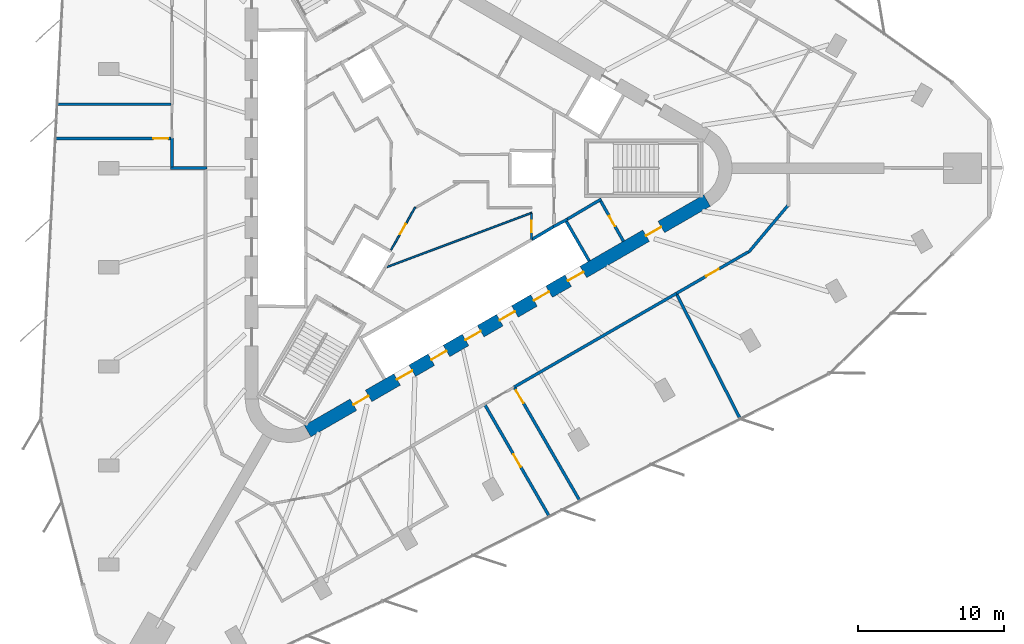
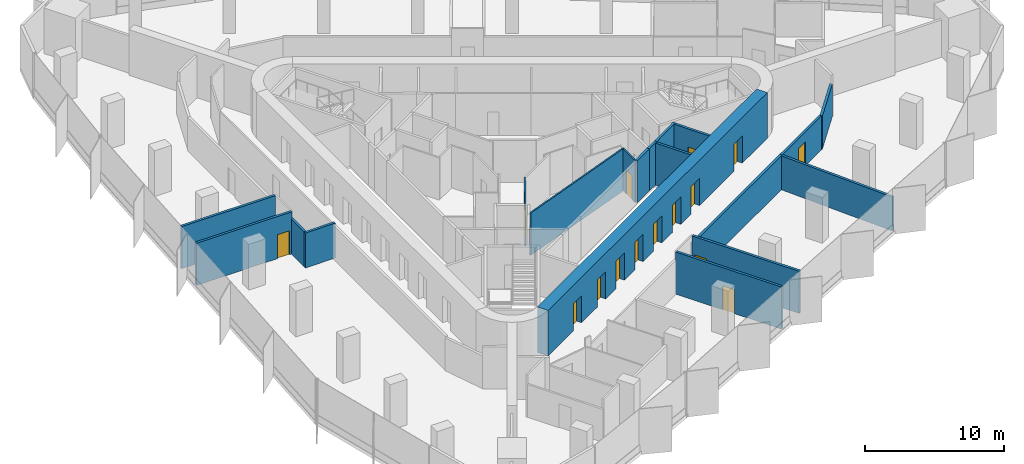
# One storey, part 9 of 14: 19 walls, 15 doors, 15 openings.
"""IFC4 building model written with IfcOpenShell, lengths in metres."""

from ifc_helpers import new_model, si_unit, direction, frame, frame_2d, origin, place, context, subcontext, project, spatial, rectangle, extrude, material, layer, layer_set, type_object, element, fill, save


model = new_model("IFC4")

# Units and contexts
model_context = context("Model", 3, precision=1e-05, world=origin(), true_north=direction((0.0, 1.0)))
body_context = subcontext(model_context, "Body", "Model", "MODEL_VIEW")
ifc_project = project(units=[si_unit("LENGTHUNIT", "METRE"), si_unit("AREAUNIT", "SQUARE_METRE"), si_unit("VOLUMEUNIT", "CUBIC_METRE"), si_unit("PLANEANGLEUNIT", "RADIAN"), si_unit("MASSUNIT", "GRAM", prefix="KILO")], contexts=[model_context])

# Site, building, storey
site_placement = place(None, origin())
site = spatial("IfcSite", under=ifc_project, at=site_placement, CompositionType="ELEMENT")
building_placement = place(site_placement, origin())
building = spatial("IfcBuilding", under=site, at=building_placement, Name="Tanit Gate Tower", CompositionType="ELEMENT")
storey_placement = place(building_placement, frame((0.0, 0.0, 253.199951171875)))
storey = spatial("IfcBuildingStorey", under=building, at=storey_placement, Name="L57", CompositionType="ELEMENT", Elevation=253.199951171875)

# Wall, openings, doors
ifc_material_1 = material(Name="Concrete C50/60", Category="concrete")
ifc_layer_1 = layer(ifc_material_1, 0.89990234375)
ifc_layer_set_1 = layer_set([ifc_layer_1], Name="CORE WALL 900 C50/60")
wall_type_1 = type_object("IfcWallType", Name="CORE WALL 900 C50/60", PredefinedType="SHEAR", material=ifc_layer_set_1)
wall_1_placement = place(storey_placement, frame((-7.824951171875, -17.969970703125, 0.0), z_axis=(0.0, 0.0, 1.0), x_axis=(0.866028369851, 0.499994862586, 0.0)))
wall_1 = element("IfcWall", 1, at=wall_1_placement, inside=storey, type_object=wall_type_1, Name="CORE WALL", PredefinedType="SHEAR", context=body_context, shape_type="SweptSolid", body=[
    extrude(rectangle(XDim=31.523193359375, YDim=0.89990234375, at=frame_2d((15.76171875, 0.0))), origin(), (0.0, 0.0, 1.0), 4.0),
])
opening_1_placement = place(wall_1_placement, frame((7.061767578125, 0.0, 0.0)))
opening_1 = element("IfcOpeningElement", 2, at=opening_1_placement, cuts=wall_1, Name="Opening LDSX1-S16", PredefinedType="OPENING", context=body_context, shape_type="SweptSolid", body=[
    extrude(rectangle(XDim=1.199951171875, YDim=2.39990234375, at=frame_2d((0.60009765625, 1.199951171875))), frame((0.0, 0.4599609375, 0.0), z_axis=(0.0, -1.0, 0.0), x_axis=(1.0, 0.0, 0.0)), (0.0, 0.0, 1.0), 0.919921875),
])
opening_2_placement = place(wall_1_placement, frame((9.76171875, 0.0, 0.0)))
opening_2 = element("IfcOpeningElement", 3, at=opening_2_placement, cuts=wall_1, Name="Opening LDSX2-S16", PredefinedType="OPENING", context=body_context, shape_type="SweptSolid", body=[
    extrude(rectangle(XDim=1.199951171875, YDim=2.39990234375, at=frame_2d((0.60009765625, 1.199951171875))), frame((0.0, 0.4599609375, 0.0), z_axis=(0.0, -1.0, 0.0), x_axis=(1.0, 0.0, 0.0)), (0.0, 0.0, 1.0), 0.919921875),
])
opening_3_placement = place(wall_1_placement, frame((12.461669921875, 0.0, 0.0)))
opening_3 = element("IfcOpeningElement", 4, at=opening_3_placement, cuts=wall_1, Name="Opening LDSX3-S16", PredefinedType="OPENING", context=body_context, shape_type="SweptSolid", body=[
    extrude(rectangle(XDim=1.199951171875, YDim=2.39990234375, at=frame_2d((0.60009765625, 1.199951171875))), frame((0.0, 0.4599609375, 0.0), z_axis=(0.0, -1.0, 0.0), x_axis=(1.0, 0.0, 0.0)), (0.0, 0.0, 1.0), 0.919921875),
])
opening_4_placement = place(wall_1_placement, frame((15.16162109375, 0.0, 0.0)))
opening_4 = element("IfcOpeningElement", 5, at=opening_4_placement, cuts=wall_1, Name="Opening LDSX4-S16", PredefinedType="OPENING", context=body_context, shape_type="SweptSolid", body=[
    extrude(rectangle(XDim=1.199951171875, YDim=2.39990234375, at=frame_2d((0.60009765625, 1.199951171875))), frame((0.0, 0.4599609375, 0.0), z_axis=(0.0, -1.0, 0.0), x_axis=(1.0, 0.0, 0.0)), (0.0, 0.0, 1.0), 0.919921875),
])
opening_5_placement = place(wall_1_placement, frame((17.861572265625, 0.0, 0.0)))
opening_5 = element("IfcOpeningElement", 6, at=opening_5_placement, cuts=wall_1, Name="Opening LDSV1-S16", PredefinedType="OPENING", context=body_context, shape_type="SweptSolid", body=[
    extrude(rectangle(XDim=1.199951171875, YDim=2.39990234375, at=frame_2d((0.60009765625, 1.199951171875))), frame((0.0, 0.4599609375, 0.0), z_axis=(0.0, -1.0, 0.0), x_axis=(1.0, 0.0, 0.0)), (0.0, 0.0, 1.0), 0.919921875),
])
opening_6_placement = place(wall_1_placement, frame((20.561767578125, 0.0, 0.0)))
opening_6 = element("IfcOpeningElement", 7, at=opening_6_placement, cuts=wall_1, Name="Opening LDSV2-S16", PredefinedType="OPENING", context=body_context, shape_type="SweptSolid", body=[
    extrude(rectangle(XDim=1.199951171875, YDim=2.39990234375, at=frame_2d((0.60009765625, 1.199951171875))), frame((0.0, 0.4599609375, 0.0), z_axis=(0.0, -1.0, 0.0), x_axis=(1.0, 0.0, 0.0)), (0.0, 0.0, 1.0), 0.919921875),
])
opening_7_placement = place(wall_1_placement, frame((26.711669921875, 0.0, 0.0)))
opening_7 = element("IfcOpeningElement", 8, at=opening_7_placement, cuts=wall_1, Name="Opening F12-S16-S1", PredefinedType="OPENING", context=body_context, shape_type="SweptSolid", body=[
    extrude(rectangle(XDim=1.199951171875, YDim=2.39990234375, at=frame_2d((0.60009765625, 1.199951171875))), frame((0.0, 0.4599609375, 0.0), z_axis=(0.0, -1.0, 0.0), x_axis=(1.0, 0.0, 0.0)), (0.0, 0.0, 1.0), 0.919921875),
])
opening_8_placement = place(wall_1_placement, frame((3.611572265625, 0.0, 0.0)))
opening_8 = element("IfcOpeningElement", 9, at=opening_8_placement, cuts=wall_1, Name="Opening F12-S16-FL3", PredefinedType="OPENING", context=body_context, shape_type="SweptSolid", body=[
    extrude(rectangle(XDim=1.199951171875, YDim=2.39990234375, at=frame_2d((0.60009765625, 1.199951171875))), frame((0.0, 0.4599609375, 0.0), z_axis=(0.0, -1.0, 0.0), x_axis=(1.0, 0.0, 0.0)), (0.0, 0.0, 1.0), 0.919921875),
])
ifc_material_2 = material(Name="Fire-rated steel door leaf", Category="steel")
door_type_1 = type_object("IfcDoorType", Name="INT-DOOR-FIRE-LOBBY-1200", OperationType="NOTDEFINED", PredefinedType="USERDEFINED", material=ifc_material_2)
door_1_placement = place(opening_7_placement, origin())
door_1 = element("IfcDoor", 10, at=door_1_placement, inside=storey, type_object=door_type_1, Name="Door F12-S16-S1", ObjectType="FIRE DOOR", OperationType="SINGLE_SWING_LEFT", OverallHeight=2.39990234375, OverallWidth=1.199951171875, PredefinedType="USERDEFINED", context=body_context, shape_type="SweptSolid", body=[
    extrude(rectangle(XDim=1.199951171875, YDim=2.39990234375, at=frame_2d((0.60009765625, 1.199951171875))), frame((0.0, 0.02490234375, 0.0), z_axis=(0.0, -1.0, 0.0), x_axis=(1.0, 0.0, 0.0)), (0.0, 0.0, 1.0), 0.050048828125),
])
fill(opening_7, door_1)
door_2_placement = place(opening_8_placement, origin())
door_2 = element("IfcDoor", 11, at=door_2_placement, inside=storey, type_object=door_type_1, Name="Door F12-S16-FL3", ObjectType="FIRE DOOR", OperationType="SINGLE_SWING_RIGHT", OverallHeight=2.39990234375, OverallWidth=1.199951171875, PredefinedType="USERDEFINED", context=body_context, shape_type="SweptSolid", body=[
    extrude(rectangle(XDim=1.199951171875, YDim=2.39990234375, at=frame_2d((0.60009765625, 1.199951171875))), frame((0.0, 0.02490234375, 0.0), z_axis=(0.0, -1.0, 0.0), x_axis=(1.0, 0.0, 0.0)), (0.0, 0.0, 1.0), 0.050048828125),
])
fill(opening_8, door_2)
ifc_material_3 = material(Name="Stainless steel sliding door leaf", Category="steel")
door_type_2 = type_object("IfcDoorType", Name="INT-DOOR-LANDING-1200", OperationType="NOTDEFINED", PredefinedType="USERDEFINED", material=ifc_material_3)
door_3_placement = place(opening_1_placement, origin())
door_3 = element("IfcDoor", 12, at=door_3_placement, inside=storey, type_object=door_type_2, Name="Door LDSX1-S16", ObjectType="LANDING DOOR", OperationType="SLIDING_TO_LEFT", OverallHeight=2.39990234375, OverallWidth=1.199951171875, PredefinedType="USERDEFINED", context=body_context, shape_type="SweptSolid", body=[
    extrude(rectangle(XDim=1.199951171875, YDim=2.39990234375, at=frame_2d((0.60009765625, 1.199951171875))), frame((0.0, 0.02490234375, 0.0), z_axis=(0.0, -1.0, 0.0), x_axis=(1.0, 0.0, 0.0)), (0.0, 0.0, 1.0), 0.050048828125),
])
fill(opening_1, door_3)
door_4_placement = place(opening_2_placement, origin())
door_4 = element("IfcDoor", 13, at=door_4_placement, inside=storey, type_object=door_type_2, Name="Door LDSX2-S16", ObjectType="LANDING DOOR", OperationType="SLIDING_TO_LEFT", OverallHeight=2.39990234375, OverallWidth=1.199951171875, PredefinedType="USERDEFINED", context=body_context, shape_type="SweptSolid", body=[
    extrude(rectangle(XDim=1.199951171875, YDim=2.39990234375, at=frame_2d((0.60009765625, 1.199951171875))), frame((0.0, 0.02490234375, 0.0), z_axis=(0.0, -1.0, 0.0), x_axis=(1.0, 0.0, 0.0)), (0.0, 0.0, 1.0), 0.050048828125),
])
fill(opening_2, door_4)
door_5_placement = place(opening_3_placement, origin())
door_5 = element("IfcDoor", 14, at=door_5_placement, inside=storey, type_object=door_type_2, Name="Door LDSX3-S16", ObjectType="LANDING DOOR", OperationType="SLIDING_TO_LEFT", OverallHeight=2.39990234375, OverallWidth=1.199951171875, PredefinedType="USERDEFINED", context=body_context, shape_type="SweptSolid", body=[
    extrude(rectangle(XDim=1.199951171875, YDim=2.39990234375, at=frame_2d((0.60009765625, 1.199951171875))), frame((0.0, 0.02490234375, 0.0), z_axis=(0.0, -1.0, 0.0), x_axis=(1.0, 0.0, 0.0)), (0.0, 0.0, 1.0), 0.050048828125),
])
fill(opening_3, door_5)
door_6_placement = place(opening_4_placement, origin())
door_6 = element("IfcDoor", 15, at=door_6_placement, inside=storey, type_object=door_type_2, Name="Door LDSX4-S16", ObjectType="LANDING DOOR", OperationType="SLIDING_TO_LEFT", OverallHeight=2.39990234375, OverallWidth=1.199951171875, PredefinedType="USERDEFINED", context=body_context, shape_type="SweptSolid", body=[
    extrude(rectangle(XDim=1.199951171875, YDim=2.39990234375, at=frame_2d((0.60009765625, 1.199951171875))), frame((0.0, 0.02490234375, 0.0), z_axis=(0.0, -1.0, 0.0), x_axis=(1.0, 0.0, 0.0)), (0.0, 0.0, 1.0), 0.050048828125),
])
fill(opening_4, door_6)
door_7_placement = place(opening_5_placement, origin())
door_7 = element("IfcDoor", 16, at=door_7_placement, inside=storey, type_object=door_type_2, Name="Door LDSV1-S16", ObjectType="LANDING DOOR", OperationType="SLIDING_TO_LEFT", OverallHeight=2.39990234375, OverallWidth=1.199951171875, PredefinedType="USERDEFINED", context=body_context, shape_type="SweptSolid", body=[
    extrude(rectangle(XDim=1.199951171875, YDim=2.39990234375, at=frame_2d((0.60009765625, 1.199951171875))), frame((0.0, 0.02490234375, 0.0), z_axis=(0.0, -1.0, 0.0), x_axis=(1.0, 0.0, 0.0)), (0.0, 0.0, 1.0), 0.050048828125),
])
fill(opening_5, door_7)
door_8_placement = place(opening_6_placement, origin())
door_8 = element("IfcDoor", 17, at=door_8_placement, inside=storey, type_object=door_type_2, Name="Door LDSV2-S16", ObjectType="LANDING DOOR", OperationType="SLIDING_TO_LEFT", OverallHeight=2.39990234375, OverallWidth=1.199951171875, PredefinedType="USERDEFINED", context=body_context, shape_type="SweptSolid", body=[
    extrude(rectangle(XDim=1.199951171875, YDim=2.39990234375, at=frame_2d((0.60009765625, 1.199951171875))), frame((0.0, 0.02490234375, 0.0), z_axis=(0.0, -1.0, 0.0), x_axis=(1.0, 0.0, 0.0)), (0.0, 0.0, 1.0), 0.050048828125),
])
fill(opening_6, door_8)

# Wall
ifc_material_4 = material(Name="Fire-rated gypsum board partition")
ifc_layer_2 = layer(ifc_material_4, 0.199951171875)
ifc_layer_set_2 = layer_set([ifc_layer_2], Name="INT-WALL-COMPARTMENT")
wall_type_2 = type_object("IfcWallType", Name="INT-WALL-COMPARTMENT", PredefinedType="PARTITIONING", material=ifc_layer_set_2)
wall_2_placement = place(storey_placement, frame((12.244873046875, -2.10888671875, 0.0), z_axis=(0.0, 0.0, 1.0), x_axis=(-0.860414880418, -0.509594185166, 0.0)))
element("IfcWall", 18, at=wall_2_placement, inside=storey, type_object=wall_type_2, Name="Wall Compartment W060", PredefinedType="PARTITIONING", context=body_context, shape_type="SweptSolid", body=[
    extrude(rectangle(XDim=2.7001953125, YDim=0.199951171875, at=frame_2d((1.35009765625, 0.0))), origin(), (0.0, 0.0, 1.0), 3.699951171875),
])

# Wall, opening, door
wall_3_placement = place(storey_placement, frame((13.758056640625, -4.989501953125, 0.0), z_axis=(0.0, 0.0, 1.0), x_axis=(-0.491993409184, 0.87059892334, 0.0)))
wall_3 = element("IfcWall", 19, at=wall_3_placement, inside=storey, type_object=wall_type_2, Name="Wall Compartment W061", PredefinedType="PARTITIONING", context=body_context, shape_type="SweptSolid", body=[
    extrude(rectangle(XDim=3.150146484375, YDim=0.199951171875, at=frame_2d((1.5751953125, 0.0))), origin(), (0.0, 0.0, 1.0), 3.699951171875),
])
opening_9_placement = place(wall_3_placement, frame((1.175048828125, 0.0, 0.0)))
opening_9 = element("IfcOpeningElement", 20, at=opening_9_placement, cuts=wall_3, Name="Opening R08-S16-17", PredefinedType="OPENING", context=body_context, shape_type="SweptSolid", body=[
    extrude(rectangle(XDim=0.800048828125, YDim=2.10009765625, at=frame_2d((0.39990234375, 1.050048828125))), frame((0.0, 0.10986328125, 0.0), z_axis=(0.0, -1.0, 0.0), x_axis=(1.0, 0.0, 0.0)), (0.0, 0.0, 1.0), 0.219970703125),
])
ifc_material_5 = material(Name="Timber door leaf", Category="wood")
door_type_3 = type_object("IfcDoorType", Name="INT-DOOR-RISER-800", OperationType="NOTDEFINED", PredefinedType="USERDEFINED", material=ifc_material_5)
door_9_placement = place(opening_9_placement, origin())
door_9 = element("IfcDoor", 21, at=door_9_placement, inside=storey, type_object=door_type_3, Name="Door R08-S16-17", ObjectType="FIRE DOOR", OperationType="SINGLE_SWING_LEFT", OverallHeight=2.10009765625, OverallWidth=0.800048828125, PredefinedType="USERDEFINED", context=body_context, shape_type="SweptSolid", body=[
    extrude(rectangle(XDim=0.800048828125, YDim=2.10009765625, at=frame_2d((0.39990234375, 1.050048828125))), frame((0.0, 0.02490234375, 0.0), z_axis=(0.0, -1.0, 0.0), x_axis=(1.0, 0.0, 0.0)), (0.0, 0.0, 1.0), 0.050048828125),
])
fill(opening_9, door_9)

# Walls
wall_4_placement = place(storey_placement, frame((-17.199951171875, -0.001220703125, 0.0), z_axis=(0.0, 0.0, 1.0), x_axis=(0.999915662945, 0.012987185857, 0.0)))
element("IfcWall", 22, at=wall_4_placement, inside=storey, type_object=wall_type_2, Name="Wall Compartment W091", PredefinedType="PARTITIONING", context=body_context, shape_type="SweptSolid", body=[
    extrude(rectangle(XDim=2.500244140625, YDim=0.199951171875, at=frame_2d((1.25, 0.0))), origin(), (0.0, 0.0, 1.0), 3.070068359375),
])
wall_5_placement = place(storey_placement, frame((-17.10009765625, 2.050048828125, 0.0), z_axis=(0.0, 0.0, 1.0), x_axis=(0.0, -1.0, 0.0)))
element("IfcWall", 23, at=wall_5_placement, inside=storey, type_object=wall_type_2, Name="Wall Compartment W092", PredefinedType="PARTITIONING", context=body_context, shape_type="SweptSolid", body=[
    extrude(rectangle(XDim=1.949951171875, YDim=0.199951171875, at=frame_2d((0.97509765625, 0.0))), origin(), (0.0, 0.0, 1.0), 3.070068359375),
])
wall_6_placement = place(storey_placement, frame((22.315185546875, -5.746337890625, 0.0), z_axis=(0.0, 0.0, 1.0), x_axis=(0.642828004621, 0.76601054593, 0.0)))
element("IfcWall", 24, at=wall_6_placement, inside=storey, type_object=wall_type_2, Name="Wall Compartment W111", PredefinedType="PARTITIONING", context=body_context, shape_type="SweptSolid", body=[
    extrude(rectangle(XDim=4.19970703125, YDim=0.199951171875, at=frame_2d((2.099853515625, 0.0))), origin(), (0.0, 0.0, 1.0), 2.880126953125),
])
wall_7_placement = place(storey_placement, frame((6.274658203125, -14.968017578125, 0.0), z_axis=(0.0, 0.0, 1.0), x_axis=(0.866025615516, 0.499999633269, 0.0)))
element("IfcWall", 25, at=wall_7_placement, inside=storey, type_object=wall_type_2, Name="Wall Compartment W113", PredefinedType="PARTITIONING", context=body_context, shape_type="SweptSolid", body=[
    extrude(rectangle(XDim=12.83447265625, YDim=0.199951171875, at=frame_2d((6.417236328125, 0.0))), origin(), (0.0, 0.0, 1.0), 2.97998046875),
])

# Wall, opening, door
wall_8_placement = place(storey_placement, frame((17.3896484375, -8.55078125, 0.0), z_axis=(0.0, 0.0, 1.0), x_axis=(0.866034791923, 0.499983738914, 0.0)))
wall_8 = element("IfcWall", 26, at=wall_8_placement, inside=storey, type_object=wall_type_2, Name="Wall Compartment W112", PredefinedType="PARTITIONING", context=body_context, shape_type="SweptSolid", body=[
    extrude(rectangle(XDim=5.661865234375, YDim=0.199951171875, at=frame_2d((2.8310546875, 0.0))), origin(), (0.0, 0.0, 1.0), 2.97998046875),
])
opening_10_placement = place(wall_8_placement, frame((2.330810546875, 0.0, 0.0)))
opening_10 = element("IfcOpeningElement", 27, at=opening_10_placement, cuts=wall_8, Name="Opening F10-S16-34", PredefinedType="OPENING", context=body_context, shape_type="SweptSolid", body=[
    extrude(rectangle(XDim=1.0, YDim=2.10009765625, at=frame_2d((0.5, 1.050048828125))), frame((0.0, 0.10986328125, 0.0), z_axis=(0.0, -1.0, 0.0), x_axis=(1.0, 0.0, 0.0)), (0.0, 0.0, 1.0), 0.219970703125),
])
ifc_material_6 = material(Name="Fire-rated steel door leaf", Category="steel")
door_type_4 = type_object("IfcDoorType", Name="INT-DOOR-FIRE-1000", OperationType="NOTDEFINED", PredefinedType="USERDEFINED", material=ifc_material_6)
door_10_placement = place(opening_10_placement, origin())
door_10 = element("IfcDoor", 28, at=door_10_placement, inside=storey, type_object=door_type_4, Name="Door F10-S16-34", ObjectType="FIRE DOOR", OperationType="SINGLE_SWING_RIGHT", OverallHeight=2.10009765625, OverallWidth=1.0, PredefinedType="USERDEFINED", context=body_context, shape_type="SweptSolid", body=[
    extrude(rectangle(XDim=1.0, YDim=2.10009765625, at=frame_2d((0.5, 1.050048828125))), frame((0.0, 0.02490234375, 0.0), z_axis=(0.0, -1.0, 0.0), x_axis=(1.0, 0.0, 0.0)), (0.0, 0.0, 1.0), 0.050048828125),
])
fill(opening_10, door_10)

wall_9_placement = place(storey_placement, frame((-25.060791015625, 2.030029296875, 0.0), z_axis=(0.0, 0.0, 1.0), x_axis=(1.0, 0.0, 0.0)))
wall_9 = element("IfcWall", 29, at=wall_9_placement, inside=storey, type_object=wall_type_2, Name="Wall Compartment W120", PredefinedType="PARTITIONING", context=body_context, shape_type="SweptSolid", body=[
    extrude(rectangle(XDim=7.90087890625, YDim=0.199951171875, at=frame_2d((3.950439453125, 0.0))), origin(), (0.0, 0.0, 1.0), 3.699951171875),
])
opening_11_placement = place(wall_9_placement, frame((6.700927734375, 0.0, 0.0)))
opening_11 = element("IfcOpeningElement", 30, at=opening_11_placement, cuts=wall_9, Name="Opening F10-S16-30", PredefinedType="OPENING", context=body_context, shape_type="SweptSolid", body=[
    extrude(rectangle(XDim=1.0, YDim=2.10009765625, at=frame_2d((0.5, 1.050048828125))), frame((0.0, 0.10986328125, 0.0), z_axis=(0.0, -1.0, 0.0), x_axis=(1.0, 0.0, 0.0)), (0.0, 0.0, 1.0), 0.219970703125),
])
door_11_placement = place(opening_11_placement, origin())
door_11 = element("IfcDoor", 31, at=door_11_placement, inside=storey, type_object=door_type_4, Name="Door F10-S16-30", ObjectType="FIRE DOOR", OperationType="SINGLE_SWING_RIGHT", OverallHeight=2.10009765625, OverallWidth=1.0, PredefinedType="USERDEFINED", context=body_context, shape_type="SweptSolid", body=[
    extrude(rectangle(XDim=1.0, YDim=2.10009765625, at=frame_2d((0.5, 1.050048828125))), frame((0.0, 0.02490234375, 0.0), z_axis=(0.0, -1.0, 0.0), x_axis=(1.0, 0.0, 0.0)), (0.0, 0.0, 1.0), 0.050048828125),
])
fill(opening_11, door_11)

# Wall
wall_10_placement = place(storey_placement, frame((-17.159912109375, 4.3701171875, 0.0), z_axis=(0.0, 0.0, 1.0), x_axis=(-1.0, 0.0, 0.0)))
element("IfcWall", 32, at=wall_10_placement, inside=storey, type_object=wall_type_2, Name="Wall Compartment W121", PredefinedType="PARTITIONING", context=body_context, shape_type="SweptSolid", body=[
    extrude(rectangle(XDim=7.779296875, YDim=0.199951171875, at=frame_2d((3.8896484375, 0.0))), origin(), (0.0, 0.0, 1.0), 3.699951171875),
])

# Wall, opening, door
wall_11_placement = place(storey_placement, frame((10.7724609375, -22.71826171875, 0.0), z_axis=(0.0, 0.0, 1.0), x_axis=(-0.500006581979, 0.866021603644, 0.0)))
wall_11 = element("IfcWall", 33, at=wall_11_placement, inside=storey, type_object=wall_type_2, Name="Wall Compartment W136", PredefinedType="PARTITIONING", context=body_context, shape_type="SweptSolid", body=[
    extrude(rectangle(XDim=8.90087890625, YDim=0.199951171875, at=frame_2d((4.450439453125, 0.0))), origin(), (0.0, 0.0, 1.0), 3.699951171875),
])
opening_12_placement = place(wall_11_placement, frame((7.700927734375, 0.0, 0.0)))
opening_12 = element("IfcOpeningElement", 34, at=opening_12_placement, cuts=wall_11, Name="Opening F10-S16-35", PredefinedType="OPENING", context=body_context, shape_type="SweptSolid", body=[
    extrude(rectangle(XDim=1.0, YDim=2.10009765625, at=frame_2d((0.5, 1.050048828125))), frame((0.0, 0.10986328125, 0.0), z_axis=(0.0, -1.0, 0.0), x_axis=(1.0, 0.0, 0.0)), (0.0, 0.0, 1.0), 0.219970703125),
])
door_12_placement = place(opening_12_placement, origin())
door_12 = element("IfcDoor", 35, at=door_12_placement, inside=storey, type_object=door_type_4, Name="Door F10-S16-35", ObjectType="FIRE DOOR", OperationType="SINGLE_SWING_LEFT", OverallHeight=2.10009765625, OverallWidth=1.0, PredefinedType="USERDEFINED", context=body_context, shape_type="SweptSolid", body=[
    extrude(rectangle(XDim=1.0, YDim=2.10009765625, at=frame_2d((0.5, 1.050048828125))), frame((0.0, 0.02490234375, 0.0), z_axis=(0.0, -1.0, 0.0), x_axis=(1.0, 0.0, 0.0)), (0.0, 0.0, 1.0), 0.050048828125),
])
fill(opening_12, door_12)

wall_12_placement = place(storey_placement, frame((4.29541015625, -16.179931640625, 0.0), z_axis=(0.0, 0.0, 1.0), x_axis=(0.499991252212, -0.866030454263, 0.0)))
wall_12 = element("IfcWall", 36, at=wall_12_placement, inside=storey, type_object=wall_type_2, Name="Wall Compartment W137", PredefinedType="PARTITIONING", context=body_context, shape_type="SweptSolid", body=[
    extrude(rectangle(XDim=8.779541015625, YDim=0.199951171875, at=frame_2d((4.3896484375, 0.0))), origin(), (0.0, 0.0, 1.0), 3.699951171875),
])
opening_13_placement = place(wall_12_placement, frame((3.8896484375, 0.0, 0.0)))
opening_13 = element("IfcOpeningElement", 37, at=opening_13_placement, cuts=wall_12, Name="Opening F10-S16-36", PredefinedType="OPENING", context=body_context, shape_type="SweptSolid", body=[
    extrude(rectangle(XDim=1.0, YDim=2.10009765625, at=frame_2d((0.5, 1.050048828125))), frame((0.0, 0.10986328125, 0.0), z_axis=(0.0, -1.0, 0.0), x_axis=(1.0, 0.0, 0.0)), (0.0, 0.0, 1.0), 0.219970703125),
])
door_13_placement = place(opening_13_placement, origin())
door_13 = element("IfcDoor", 38, at=door_13_placement, inside=storey, type_object=door_type_4, Name="Door F10-S16-36", ObjectType="FIRE DOOR", OperationType="SINGLE_SWING_LEFT", OverallHeight=2.10009765625, OverallWidth=1.0, PredefinedType="USERDEFINED", context=body_context, shape_type="SweptSolid", body=[
    extrude(rectangle(XDim=1.0, YDim=2.10009765625, at=frame_2d((0.5, 1.050048828125))), frame((0.0, 0.02490234375, 0.0), z_axis=(0.0, -1.0, 0.0), x_axis=(1.0, 0.0, 0.0)), (0.0, 0.0, 1.0), 0.050048828125),
])
fill(opening_13, door_13)

# Walls
wall_13_placement = place(storey_placement, frame((17.41552734375, -8.6513671875, 0.0), z_axis=(0.0, 0.0, 1.0), x_axis=(0.45442670118, -0.890784133926, 0.0)))
element("IfcWall", 39, at=wall_13_placement, inside=storey, type_object=wall_type_2, Name="Wall Compartment W138", PredefinedType="PARTITIONING", context=body_context, shape_type="SweptSolid", body=[
    extrude(rectangle(XDim=9.511962890625, YDim=0.199951171875, at=frame_2d((4.755859375, 0.0))), origin(), (0.0, 0.0, 1.0), 2.97998046875),
])
ifc_material_7 = material(Name="Gypsum board partition")
ifc_layer_3 = layer(ifc_material_7, 0.1201171875)
ifc_layer_set_3 = layer_set([ifc_layer_3], Name="INT-WALL-PARTITION")
wall_type_3 = type_object("IfcWallType", Name="INT-WALL-PARTITION", PredefinedType="PARTITIONING", material=ifc_layer_set_3)
wall_14_placement = place(storey_placement, frame((7.5, -3.04248046875, 0.0), z_axis=(0.0, 0.0, 1.0), x_axis=(-0.936345316301, -0.35108040196, 0.0)))
element("IfcWall", 40, at=wall_14_placement, inside=storey, type_object=wall_type_3, Name="Wall Partition W071", PredefinedType="PARTITIONING", context=body_context, shape_type="SweptSolid", body=[
    extrude(rectangle(XDim=10.56787109375, YDim=0.1201171875, at=frame_2d((5.283935546875, 0.0))), origin(), (0.0, 0.0, 1.0), 3.699951171875),
])

# Wall, opening, door
wall_15_placement = place(storey_placement, frame((-0.4658203125, -2.655029296875, 0.0), z_axis=(0.0, 0.0, 1.0), x_axis=(-0.49235580986, -0.870394023703, 0.0)))
wall_15 = element("IfcWall", 41, at=wall_15_placement, inside=storey, type_object=wall_type_3, Name="Wall Partition W072", PredefinedType="PARTITIONING", context=body_context, shape_type="SweptSolid", body=[
    extrude(rectangle(XDim=3.367919921875, YDim=0.1201171875, at=frame_2d((1.68408203125, 0.0))), origin(), (0.0, 0.0, 1.0), 3.699951171875),
])
opening_14_placement = place(wall_15_placement, frame((1.334716796875, 0.0, 0.0)))
opening_14 = element("IfcOpeningElement", 42, at=opening_14_placement, cuts=wall_15, Name="Opening R08-S16-11", PredefinedType="OPENING", context=body_context, shape_type="SweptSolid", body=[
    extrude(rectangle(XDim=0.800048828125, YDim=2.10009765625, at=frame_2d((0.39990234375, 1.050048828125))), frame((0.0, 0.070068359375, 0.0), z_axis=(0.0, -1.0, 0.0), x_axis=(1.0, 0.0, 0.0)), (0.0, 0.0, 1.0), 0.14013671875),
])
door_14_placement = place(opening_14_placement, origin())
door_14 = element("IfcDoor", 43, at=door_14_placement, inside=storey, type_object=door_type_3, Name="Door R08-S16-11", ObjectType="FIRE DOOR", OperationType="SINGLE_SWING_RIGHT", OverallHeight=2.10009765625, OverallWidth=0.800048828125, PredefinedType="USERDEFINED", context=body_context, shape_type="SweptSolid", body=[
    extrude(rectangle(XDim=0.800048828125, YDim=2.10009765625, at=frame_2d((0.39990234375, 1.050048828125))), frame((0.0, 0.02490234375, 0.0), z_axis=(0.0, -1.0, 0.0), x_axis=(1.0, 0.0, 0.0)), (0.0, 0.0, 1.0), 0.050048828125),
])
fill(opening_14, door_14)

wall_16_placement = place(storey_placement, frame((7.474609375, -4.864501953125, 0.0), z_axis=(0.0, 0.0, 1.0), x_axis=(-0.002330037535, 0.999997285459, 0.0)))
wall_16 = element("IfcWall", 44, at=wall_16_placement, inside=storey, type_object=wall_type_3, Name="Wall Partition W077", PredefinedType="PARTITIONING", context=body_context, shape_type="SweptSolid", body=[
    extrude(rectangle(XDim=1.78125, YDim=0.1201171875, at=frame_2d((0.890625, 0.0))), origin(), (0.0, 0.0, 1.0), 3.699951171875),
])
opening_15_placement = place(wall_16_placement, frame((0.490478515625, 0.0, 0.0)))
opening_15 = element("IfcOpeningElement", 45, at=opening_15_placement, cuts=wall_16, Name="Opening R08-S16-12", PredefinedType="OPENING", context=body_context, shape_type="SweptSolid", body=[
    extrude(rectangle(XDim=0.800048828125, YDim=2.10009765625, at=frame_2d((0.39990234375, 1.050048828125))), frame((0.0, 0.070068359375, 0.0), z_axis=(0.0, -1.0, 0.0), x_axis=(1.0, 0.0, 0.0)), (0.0, 0.0, 1.0), 0.14013671875),
])
door_15_placement = place(opening_15_placement, origin())
door_15 = element("IfcDoor", 46, at=door_15_placement, inside=storey, type_object=door_type_3, Name="Door R08-S16-12", ObjectType="FIRE DOOR", OperationType="SINGLE_SWING_LEFT", OverallHeight=2.10009765625, OverallWidth=0.800048828125, PredefinedType="USERDEFINED", context=body_context, shape_type="SweptSolid", body=[
    extrude(rectangle(XDim=0.800048828125, YDim=2.10009765625, at=frame_2d((0.39990234375, 1.050048828125))), frame((0.0, 0.02490234375, 0.0), z_axis=(0.0, -1.0, 0.0), x_axis=(1.0, 0.0, 0.0)), (0.0, 0.0, 1.0), 0.050048828125),
])
fill(opening_15, door_15)

# Walls
ifc_material_8 = material(Name="Gypsum shaft wall system")
ifc_layer_4 = layer(ifc_material_8, 0.199951171875)
ifc_layer_set_4 = layer_set([ifc_layer_4], Name="INT-WALL-SHAFT")
wall_type_4 = type_object("IfcWallType", Name="INT-WALL-SHAFT", PredefinedType="PLUMBINGWALL", material=ifc_layer_set_4)
wall_17_placement = place(storey_placement, frame((9.794677734375, -3.52490234375, 0.0), z_axis=(0.0, 0.0, 1.0), x_axis=(0.499984717929, -0.866034226713, 0.0)))
element("IfcWall", 47, at=wall_17_placement, inside=storey, type_object=wall_type_4, Name="Wall Shaft W016", PredefinedType="PLUMBINGWALL", context=body_context, shape_type="SweptSolid", body=[
    extrude(rectangle(XDim=3.25, YDim=0.199951171875, at=frame_2d((1.625, 0.0))), origin(), (0.0, 0.0, 1.0), 3.699951171875),
])
wall_18_placement = place(storey_placement, frame((8.97412109375, -3.998779296875, 0.0), z_axis=(0.0, 0.0, 1.0), x_axis=(0.880907015104, 0.473289373154, 0.0)))
element("IfcWall", 48, at=wall_18_placement, inside=storey, type_object=wall_type_4, Name="Wall Shaft W017", PredefinedType="PLUMBINGWALL", context=body_context, shape_type="SweptSolid", body=[
    extrude(rectangle(XDim=1.078125, YDim=0.199951171875, at=frame_2d((0.5390625, 0.0))), origin(), (0.0, 0.0, 1.0), 3.699951171875),
])
wall_19_placement = place(storey_placement, frame((7.4931640625, -4.87841796875, 0.0), z_axis=(0.0, 0.0, 1.0), x_axis=(0.859981807212, 0.510324691999, 0.0)))
element("IfcWall", 49, at=wall_19_placement, inside=storey, type_object=wall_type_4, Name="Wall Shaft W018", PredefinedType="PLUMBINGWALL", context=body_context, shape_type="SweptSolid", body=[
    extrude(rectangle(XDim=1.8447265625, YDim=0.199951171875, at=frame_2d((0.92236328125, 0.0))), origin(), (0.0, 0.0, 1.0), 3.699951171875),
])

save(model, "model.ifc")
